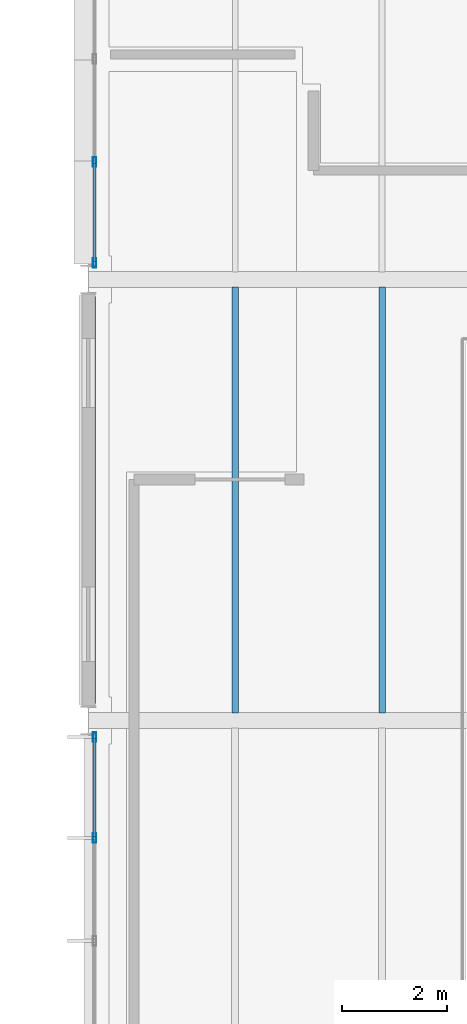
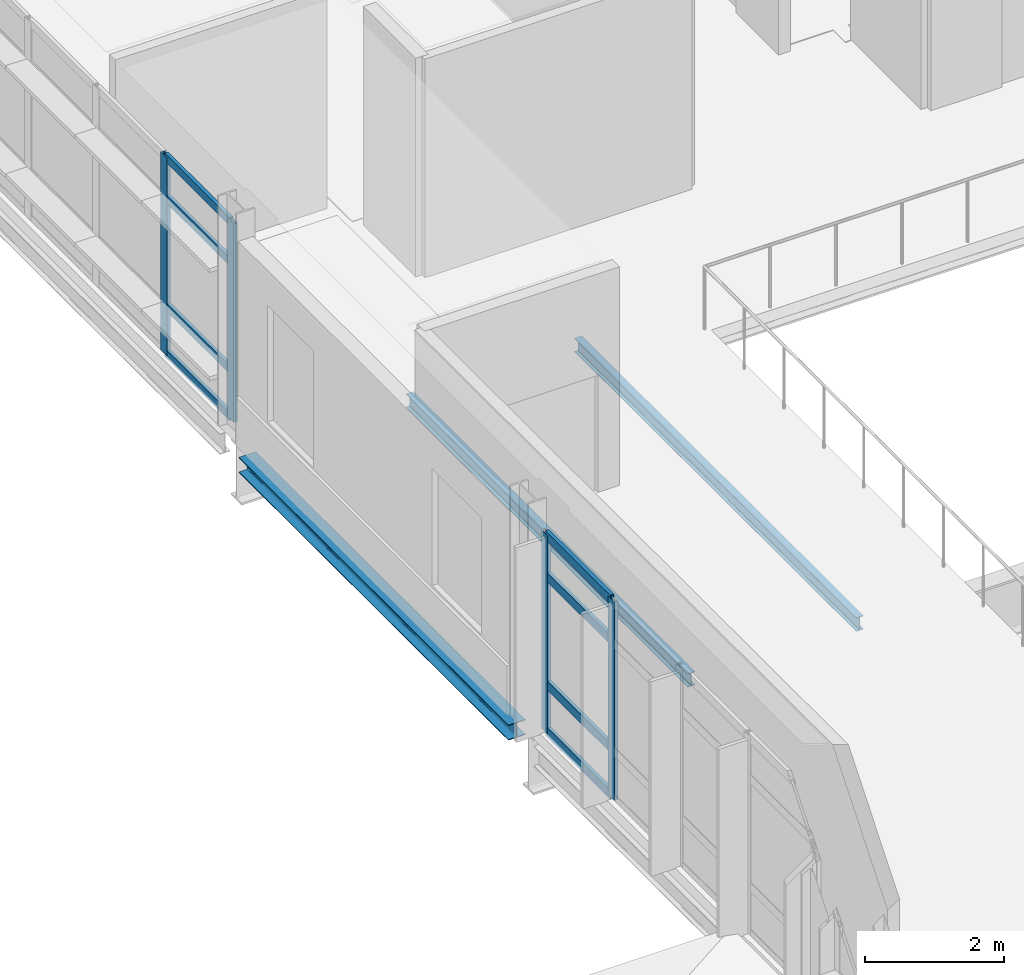
# One storey, part 56 of 151: 12 members, 3 beams, 2 elements without a shape of their own.
"""IFC4 building model written with IfcOpenShell, lengths in metres."""

from ifc_helpers import new_model, si_unit, direction, frame, origin, origin_2d, place, context, subcontext, project, spatial, hollow_rectangle, i_section, extrude, material, material_profile, profile_set, type_object, element, aggregate, save


model = new_model("IFC4")

# Units and contexts
model_context = context("Model", 3, precision=1e-05, world=origin(), true_north=direction((0.0, 1.0)))
body_context = subcontext(model_context, "Body", "Model", "MODEL_VIEW")
ifc_project = project(units=[si_unit("LENGTHUNIT", "METRE"), si_unit("AREAUNIT", "SQUARE_METRE"), si_unit("VOLUMEUNIT", "CUBIC_METRE"), si_unit("PLANEANGLEUNIT", "RADIAN"), si_unit("MASSUNIT", "GRAM", prefix="KILO")], contexts=[model_context])

# Site, building, storey
site_placement = place(None, origin())
site = spatial("IfcSite", under=ifc_project, at=site_placement, CompositionType="ELEMENT")
building_placement = place(site_placement, origin())
building = spatial("IfcBuilding", under=site, at=building_placement, Name="Mersafa Astral City Hall", CompositionType="ELEMENT")
storey_placement = place(building_placement, frame((0.0, 0.0, 9.89990234375)))
storey = spatial("IfcBuildingStorey", under=building, at=storey_placement, Name="L02", CompositionType="ELEMENT", Elevation=9.89990234375)

# Curtain wall, members
ifc_material_1 = material(Name="Anodised bronze aluminium framing", Category="aluminium")
curtain_wall_type_1 = type_object("IfcCurtainWallType", Name="ENV-CW-2", PredefinedType="USERDEFINED", material=ifc_material_1)
curtain_wall_1_placement = place(storey_placement, origin())
curtain_wall_1 = element("IfcCurtainWall", 1, at=curtain_wall_1_placement, inside=storey, type_object=curtain_wall_type_1, Name="L02 Unitised solar curtain wall 145", ObjectType="UNITISED CURTAIN WALL", PredefinedType="USERDEFINED")
ifc_material_profile_1 = material_profile(ifc_material_1, hollow_rectangle(XDim=0.06005859375, YDim=0.179931640625, WallThickness=0.00390625, at=origin_2d()), Name="RHS 60x180x4")
ifc_profile_set_1 = profile_set([ifc_material_profile_1], Name="Anodised bronze aluminium framing")
member_type_1 = type_object("IfcMemberType", Name="ENV-CW-MUL-1", PredefinedType="MULLION", material=ifc_profile_set_1)
member_1_placement = place(storey_placement, frame((92.52001953125, 77.843505859375, -0.001953125), z_axis=(0.0, 0.0, 1.0), x_axis=(1.0, 0.0, 0.0)))
member_1 = element("IfcMember", 2, at=member_1_placement, type_object=member_type_1, Name="CW-2 mullion 4", PredefinedType="MULLION", context=body_context, shape_type="SweptSolid", body=[
    extrude(hollow_rectangle(XDim=0.06005859375, YDim=0.179931640625, WallThickness=0.00390625, at=origin_2d()), origin(), (0.0, 0.0, 1.0), 3.489013671875),
])
member_2_placement = place(storey_placement, frame((92.52001953125, 75.9169921875, -0.001953125), z_axis=(0.0, 0.0, 1.0), x_axis=(1.0, 0.0, 0.0)))
member_2 = element("IfcMember", 3, at=member_2_placement, type_object=member_type_1, Name="CW-2 mullion 5", PredefinedType="MULLION", context=body_context, shape_type="SweptSolid", body=[
    extrude(hollow_rectangle(XDim=0.06005859375, YDim=0.179931640625, WallThickness=0.00390625, at=origin_2d()), origin(), (0.0, 0.0, 1.0), 3.489013671875),
])

curtain_wall_type_2 = type_object("IfcCurtainWallType", Name="ENV-CW-3", PredefinedType="USERDEFINED", material=ifc_material_1)
curtain_wall_2_placement = place(storey_placement, origin())
curtain_wall_2 = element("IfcCurtainWall", 4, at=curtain_wall_2_placement, inside=storey, type_object=curtain_wall_type_2, Name="L02 Unitised solar curtain wall 146", ObjectType="UNITISED CURTAIN WALL", PredefinedType="USERDEFINED")
member_3_placement = place(storey_placement, frame((92.52001953125, 66.883056640625, -0.001953125), z_axis=(0.0, 0.0, 1.0), x_axis=(1.0, 0.0, 0.0)))
member_3 = element("IfcMember", 5, at=member_3_placement, type_object=member_type_1, Name="CW-3 mullion 1", PredefinedType="MULLION", context=body_context, shape_type="SweptSolid", body=[
    extrude(hollow_rectangle(XDim=0.06005859375, YDim=0.179931640625, WallThickness=0.00390625, at=origin_2d()), origin(), (0.0, 0.0, 1.0), 3.489013671875),
])
member_4_placement = place(storey_placement, frame((92.52001953125, 64.95654296875, -0.001953125), z_axis=(0.0, 0.0, 1.0), x_axis=(1.0, 0.0, 0.0)))
member_4 = element("IfcMember", 6, at=member_4_placement, type_object=member_type_1, Name="CW-3 mullion 2", PredefinedType="MULLION", context=body_context, shape_type="SweptSolid", body=[
    extrude(hollow_rectangle(XDim=0.06005859375, YDim=0.179931640625, WallThickness=0.00390625, at=origin_2d()), origin(), (0.0, 0.0, 1.0), 3.489013671875),
])

# Member
ifc_material_profile_2 = material_profile(ifc_material_1, hollow_rectangle(XDim=0.06005859375, YDim=0.139892578125, WallThickness=0.00390625, at=origin_2d()), Name="RHS 60x140x4")
ifc_profile_set_2 = profile_set([ifc_material_profile_2], Name="Anodised bronze aluminium framing")
member_type_2 = type_object("IfcMemberType", Name="ENV-CW-TRN-1", PredefinedType="USERDEFINED", material=ifc_profile_set_2)
member_5_placement = place(storey_placement, frame((92.52001953125, 77.8134765625, 0.028076171875), z_axis=(0.0, -1.0, 0.0), x_axis=(1.0, 0.0, 0.0)))
member_5 = element("IfcMember", 7, at=member_5_placement, type_object=member_type_2, Name="CW-2 transom 4.1", ObjectType="TRANSOM", PredefinedType="USERDEFINED", context=body_context, shape_type="SweptSolid", body=[
    extrude(hollow_rectangle(XDim=0.06005859375, YDim=0.139892578125, WallThickness=0.00390625, at=origin_2d()), origin(), (0.0, 0.0, 1.0), 1.866455078125),
])

member_6_placement = place(storey_placement, frame((92.52001953125, 77.8134765625, 0.85009765625), z_axis=(0.0, -1.0, 0.0), x_axis=(1.0, 0.0, 0.0)))
member_6 = element("IfcMember", 8, at=member_6_placement, type_object=member_type_2, Name="CW-2 transom 4.2", ObjectType="TRANSOM", PredefinedType="USERDEFINED", context=body_context, shape_type="SweptSolid", body=[
    extrude(hollow_rectangle(XDim=0.06005859375, YDim=0.139892578125, WallThickness=0.00390625, at=origin_2d()), origin(), (0.0, 0.0, 1.0), 1.866455078125),
])

member_7_placement = place(storey_placement, frame((92.52001953125, 77.8134765625, 2.75), z_axis=(0.0, -1.0, 0.0), x_axis=(1.0, 0.0, 0.0)))
member_7 = element("IfcMember", 9, at=member_7_placement, type_object=member_type_2, Name="CW-2 transom 4.3", ObjectType="TRANSOM", PredefinedType="USERDEFINED", context=body_context, shape_type="SweptSolid", body=[
    extrude(hollow_rectangle(XDim=0.06005859375, YDim=0.139892578125, WallThickness=0.00390625, at=origin_2d()), origin(), (0.0, 0.0, 1.0), 1.866455078125),
])

member_8_placement = place(storey_placement, frame((92.52001953125, 77.8134765625, 3.45703125), z_axis=(0.0, -1.0, 0.0), x_axis=(1.0, 0.0, 0.0)))
member_8 = element("IfcMember", 10, at=member_8_placement, type_object=member_type_2, Name="CW-2 transom 4.4", ObjectType="TRANSOM", PredefinedType="USERDEFINED", context=body_context, shape_type="SweptSolid", body=[
    extrude(hollow_rectangle(XDim=0.06005859375, YDim=0.139892578125, WallThickness=0.00390625, at=origin_2d()), origin(), (0.0, 0.0, 1.0), 1.866455078125),
])

aggregate(curtain_wall_1, [member_1, member_2, member_5, member_6, member_7, member_8])

ifc_material_profile_3 = material_profile(ifc_material_1, hollow_rectangle(XDim=0.06005859375, YDim=0.159912109375, WallThickness=0.00390625, at=origin_2d()), Name="RHS 60x160x4")
ifc_profile_set_3 = profile_set([ifc_material_profile_3], Name="Anodised bronze aluminium framing")
member_type_3 = type_object("IfcMemberType", Name="ENV-CW-TRN-2", PredefinedType="USERDEFINED", material=ifc_profile_set_3)
member_9_placement = place(storey_placement, frame((92.52001953125, 66.85302734375, 0.028076171875), z_axis=(0.0, -1.0, 0.0), x_axis=(1.0, 0.0, 0.0)))
member_9 = element("IfcMember", 11, at=member_9_placement, type_object=member_type_3, Name="CW-3 transom 1.1", ObjectType="TRANSOM", PredefinedType="USERDEFINED", context=body_context, shape_type="SweptSolid", body=[
    extrude(hollow_rectangle(XDim=0.06005859375, YDim=0.159912109375, WallThickness=0.00390625, at=origin_2d()), origin(), (0.0, 0.0, 1.0), 1.866455078125),
])

member_10_placement = place(storey_placement, frame((92.52001953125, 66.85302734375, 0.85009765625), z_axis=(0.0, -1.0, 0.0), x_axis=(1.0, 0.0, 0.0)))
member_10 = element("IfcMember", 12, at=member_10_placement, type_object=member_type_3, Name="CW-3 transom 1.2", ObjectType="TRANSOM", PredefinedType="USERDEFINED", context=body_context, shape_type="SweptSolid", body=[
    extrude(hollow_rectangle(XDim=0.06005859375, YDim=0.159912109375, WallThickness=0.00390625, at=origin_2d()), origin(), (0.0, 0.0, 1.0), 1.866455078125),
])

member_11_placement = place(storey_placement, frame((92.52001953125, 66.85302734375, 2.75), z_axis=(0.0, -1.0, 0.0), x_axis=(1.0, 0.0, 0.0)))
member_11 = element("IfcMember", 13, at=member_11_placement, type_object=member_type_3, Name="CW-3 transom 1.3", ObjectType="TRANSOM", PredefinedType="USERDEFINED", context=body_context, shape_type="SweptSolid", body=[
    extrude(hollow_rectangle(XDim=0.06005859375, YDim=0.159912109375, WallThickness=0.00390625, at=origin_2d()), origin(), (0.0, 0.0, 1.0), 1.866455078125),
])

member_12_placement = place(storey_placement, frame((92.52001953125, 66.85302734375, 3.45703125), z_axis=(0.0, -1.0, 0.0), x_axis=(1.0, 0.0, 0.0)))
member_12 = element("IfcMember", 14, at=member_12_placement, type_object=member_type_3, Name="CW-3 transom 1.4", ObjectType="TRANSOM", PredefinedType="USERDEFINED", context=body_context, shape_type="SweptSolid", body=[
    extrude(hollow_rectangle(XDim=0.06005859375, YDim=0.159912109375, WallThickness=0.00390625, at=origin_2d()), origin(), (0.0, 0.0, 1.0), 1.866455078125),
])

aggregate(curtain_wall_2, [member_3, member_4, member_9, member_10, member_11, member_12])

# Beams
ifc_material_2 = material(Name="Steel S355", Category="steel")
ifc_material_profile_4 = material_profile(ifc_material_2, i_section(OverallWidth=0.1201171875, OverallDepth=0.239990234375, WebThickness=0.006103515625, FlangeThickness=0.009765625, FilletRadius=0.014892578125, at=origin_2d()), Name="IPE 240")
ifc_profile_set_4 = profile_set([ifc_material_profile_4], Name="Steel S355")
beam_type_1 = type_object("IfcBeamType", Name="STR-BM-JOIST-IPE240", PredefinedType="JOIST", material=ifc_profile_set_4)
for number, where, z_axis, x_axis, name in (
    (15, (95.199951171875, 67.344970703125, -0.31982421875), (0.0, 1.0, 0.0), (-1.0, 0.0, 0.0), "L02 Composite secondary floor joist 444"),
    (16, (98.0, 67.344970703125, -0.31982421875), (0.0, 1.0, 0.0), (-1.0, 0.0, 0.0), "L02 Composite secondary floor joist 445"),
):
    element("IfcBeam", number, at=place(storey_placement, frame(where, z_axis=z_axis, x_axis=x_axis)), inside=storey, type_object=beam_type_1, Name=name, PredefinedType="JOIST", context=body_context, shape_type="SweptSolid", body=[
        extrude(i_section(OverallWidth=0.1201171875, OverallDepth=0.239990234375, WebThickness=0.006103515625, FlangeThickness=0.009765625, FilletRadius=0.014892578125, at=origin_2d()), origin(), (0.0, 0.0, 1.0), 8.110107421875),
    ])
ifc_material_profile_5 = material_profile(ifc_material_2, i_section(OverallWidth=0.280029296875, OverallDepth=0.27001953125, WebThickness=0.008056640625, FlangeThickness=0.012939453125, FilletRadius=0.02392578125, at=origin_2d()), Name="HEA 280")
ifc_profile_set_5 = profile_set([ifc_material_profile_5], Name="Steel S355")
beam_type_2 = type_object("IfcBeamType", Name="STR-BM-SPANDREL-HEA280", PredefinedType="SPANDREL", material=ifc_profile_set_5)
beam_placement = place(storey_placement, frame((92.39990234375, 67.52001953125, -0.3349609375), z_axis=(0.0, 1.0, 0.0), x_axis=(-1.0, 0.0, 0.0)))
element("IfcBeam", 17, at=beam_placement, inside=storey, type_object=beam_type_2, Name="L02 Primary girder Y 11-8", PredefinedType="SPANDREL", context=body_context, shape_type="SweptSolid", body=[
    extrude(i_section(OverallWidth=0.280029296875, OverallDepth=0.27001953125, WebThickness=0.008056640625, FlangeThickness=0.012939453125, FilletRadius=0.02392578125, at=origin_2d()), origin(), (0.0, 0.0, 1.0), 7.760009765625),
])

save(model, "model.ifc")
